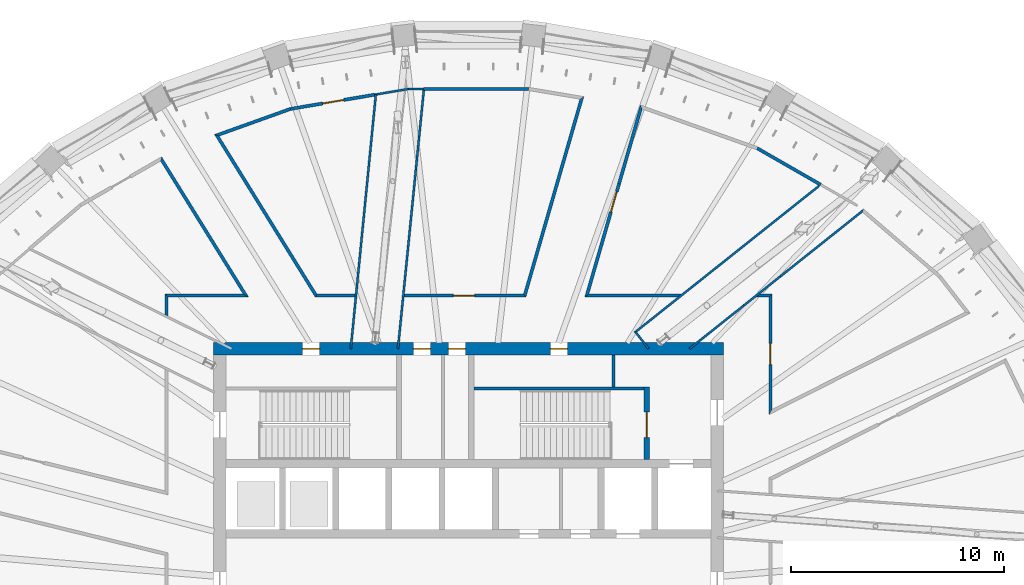
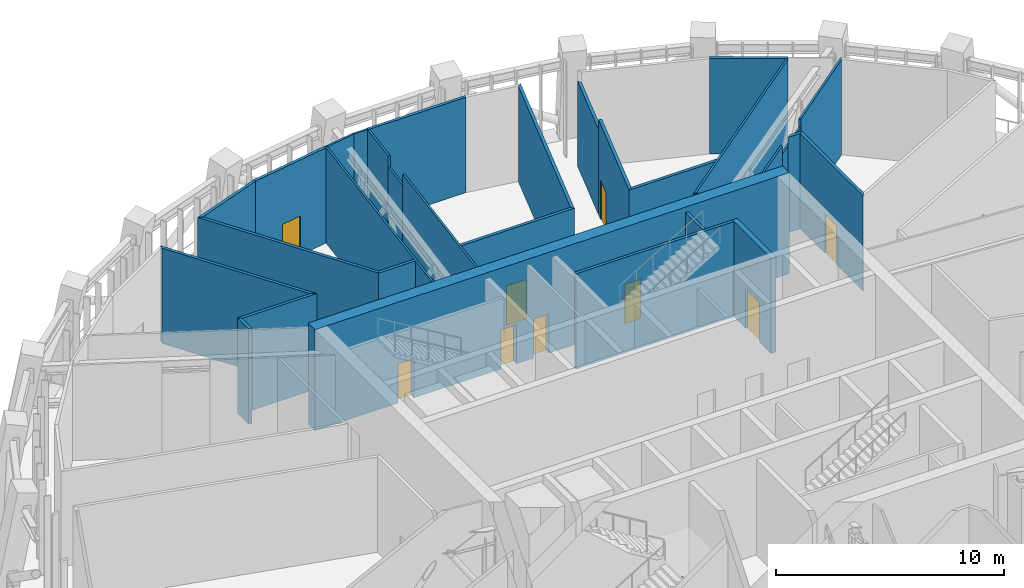
# One storey, part 10 of 20: 31 walls, 9 doors, 9 openings.
"""IFC4 building model written with IfcOpenShell, lengths in metres."""

import ifcopenshell
import ifcopenshell.guid

model = None  # the IFC model being written
_history = None  # IfcOwnerHistory: only IFC2X3 demands one
_inside = {}  # id of a spatial element -> (the spatial element, [elements in it])
_under = {}  # id of a project, library or spatial element -> (it, [spatial elements below it])
_declared = {}  # id of a project -> (the project, [libraries it declares])
_typed = {}  # id of a type object -> (the type object, [elements of that type])
_made_of = {}  # id of a material, layer set ... -> (it, [elements and type objects made of it])


def new_model(schema):
    """Start an empty IFC model of exactly this schema.

    Asked for "IFC4X3", IfcOpenShell would pick the latest addendum, in which some entities
    have other attributes; the version numbers below select the first issue.
    IFC2X3 requires an IfcOwnerHistory on every rooted entity: one is made here for all.
    """
    global model, _history
    if schema == "IFC4X3":
        model = ifcopenshell.file(schema_version=(4, 3, 0, 0))
    else:
        model = ifcopenshell.file(schema=schema)
    _inside.clear()
    _under.clear()
    _declared.clear()
    _typed.clear()
    _made_of.clear()
    _history = None
    if model.schema == "IFC2X3":
        org = make("IfcOrganization", Name="unknown")
        user = make(
            "IfcPersonAndOrganization",
            ThePerson=make("IfcPerson", FamilyName="unknown"),
            TheOrganization=org,
        )
        app = make(
            "IfcApplication",
            ApplicationDeveloper=org,
            Version="unknown",
            ApplicationFullName="unknown",
            ApplicationIdentifier="unknown",
        )
        _history = make(
            "IfcOwnerHistory",
            OwningUser=user,
            OwningApplication=app,
            ChangeAction="ADDED",
            CreationDate=0,
        )
    return model


def make(cls, **values):
    """One entity of the class cls with the attributes given. An attribute that is None is left unset."""
    return model.create_entity(
        cls, **{name: value for name, value in values.items() if value is not None}
    )


def rooted(cls, **values):
    """An entity with a GlobalId (a new one), such as an element, a storey or a relation."""
    return make(cls, GlobalId=ifcopenshell.guid.new(), OwnerHistory=_history, **values)


def si_unit(unit_type, name, prefix=None):
    """IfcSIUnit, for example si_unit("LENGTHUNIT", "METRE", prefix="MILLI")."""
    return make("IfcSIUnit", UnitType=unit_type, Prefix=prefix, Name=name)


def assignment(units):
    """IfcUnitAssignment: the units of a project."""
    return None if units is None else make("IfcUnitAssignment", Units=units)


def point(xyz):
    """IfcCartesianPoint."""
    return None if xyz is None else make("IfcCartesianPoint", Coordinates=xyz)


def direction(xyz):
    """IfcDirection."""
    return None if xyz is None else make("IfcDirection", DirectionRatios=xyz)


def frame(location, z_axis=None, x_axis=None):
    """IfcAxis2Placement3D, a coordinate frame: its origin and axes. An axis left out is left unset."""
    return make(
        "IfcAxis2Placement3D",
        Location=point(location),
        Axis=direction(z_axis),
        RefDirection=direction(x_axis),
    )


def frame_2d(location, x_axis=None):
    """IfcAxis2Placement2D, a coordinate frame in the plane: its origin and x axis."""
    return make(
        "IfcAxis2Placement2D", Location=point(location), RefDirection=direction(x_axis)
    )


def origin():
    """The frame at (0, 0, 0) with its axes left unset."""
    return frame((0.0, 0.0, 0.0))


def place(relative_to, where):
    """IfcLocalPlacement: puts the frame where relative to a parent placement (None: the world)."""
    return make(
        "IfcLocalPlacement", PlacementRelTo=relative_to, RelativePlacement=where
    )


def context(
    kind, dimensions, precision=None, world=None, true_north=None, identifier=None
):
    """IfcGeometricRepresentationContext, for example the 3D "Model" context."""
    return make(
        "IfcGeometricRepresentationContext",
        ContextIdentifier=identifier,
        ContextType=kind,
        CoordinateSpaceDimension=dimensions,
        Precision=precision,
        WorldCoordinateSystem=world,
        TrueNorth=true_north,
    )


def subcontext(parent, identifier, kind, view, scale=None):
    """IfcGeometricRepresentationSubContext, for example "Body" below "Model"."""
    return make(
        "IfcGeometricRepresentationSubContext",
        ContextIdentifier=identifier,
        ContextType=kind,
        ParentContext=parent,
        TargetScale=scale,
        TargetView=view,
    )


def project(units=None, contexts=None):
    """IfcProject with its units and contexts."""
    return rooted(
        "IfcProject",
        Name="project",
        RepresentationContexts=contexts,
        UnitsInContext=assignment(units),
    )


def spatial(cls, under=None, at=None, **own):
    """A site, building, storey or space (cls), placed at a placement, below another one or the project."""
    s = rooted(cls, ObjectPlacement=at, **own)
    if under is not None:
        _under.setdefault(under.id(), (under, []))[1].append(s)
    return s


def polyline(points):
    """IfcPolyline through the points."""
    return make("IfcPolyline", Points=[point(p) for p in points])


def profile(cls, at=None, kind="AREA", **sizes):
    """A parametric profile (cls). Its sizes go by their IFC names, for example OverallWidth=200.0."""
    return make(cls, ProfileType=kind, Position=at, **sizes)


def rectangle(**sizes):
    """IfcRectangleProfileDef."""
    return profile("IfcRectangleProfileDef", **sizes)


def outline(outer, holes=None, kind="AREA"):
    """IfcArbitraryClosedProfileDef: a profile drawn as a closed curve; with holes, ...WithVoids."""
    if holes is None:
        return make("IfcArbitraryClosedProfileDef", ProfileType=kind, OuterCurve=outer)
    return make(
        "IfcArbitraryProfileDefWithVoids",
        ProfileType=kind,
        OuterCurve=outer,
        InnerCurves=holes,
    )


def extrude(swept, where, along, depth):
    """IfcExtrudedAreaSolid: the profile swept, set in the frame where, extruded along a direction by depth."""
    return make(
        "IfcExtrudedAreaSolid",
        SweptArea=swept,
        Position=where,
        ExtrudedDirection=direction(along),
        Depth=depth,
    )


def shape(context_of_items, identifier, shape_type, items):
    """IfcShapeRepresentation: the items that make up one representation, for example the "Body"."""
    return make(
        "IfcShapeRepresentation",
        ContextOfItems=context_of_items,
        RepresentationIdentifier=identifier,
        RepresentationType=shape_type,
        Items=items,
    )


def material(Name=None, Category=None):
    """IfcMaterial."""
    return make("IfcMaterial", Name=Name, Category=Category)


def layer(
    of_material, thickness, ventilated=None, Name=None, Category=None, Priority=None
):
    """IfcMaterialLayer: one layer of a wall or slab, of a material (None: an air gap)."""
    return make(
        "IfcMaterialLayer",
        Material=of_material,
        LayerThickness=thickness,
        IsVentilated=ventilated,
        Name=Name,
        Category=Category,
        Priority=Priority,
    )


def layer_set(layers, Name=None):
    """IfcMaterialLayerSet."""
    return make("IfcMaterialLayerSet", MaterialLayers=layers, LayerSetName=Name)


def made_of(thing, what):
    """Note that an element or type object is made of a material, layer set ...; save() writes the relation."""
    if what is not None:
        _made_of.setdefault(what.id(), (what, []))[1].append(thing)
    return thing


def type_object(cls, material=None, **own):
    """A type object (cls), such as IfcWallType, which elements share."""
    return made_of(rooted(cls, **own), material)


def element(
    cls,
    number,
    at=None,
    inside=None,
    cuts=None,
    type_object=None,
    material=None,
    context=None,
    identifier="Body",
    shape_type=None,
    held_by="IfcProductDefinitionShape",
    body=None,
    shapes=None,
    **own,
):
    """One element of the class cls, such as IfcWall. Its Tag is "e" and its number.

    at: its placement. inside: the storey or other place that contains it. cuts: it is an
    opening in that element (IfcRelVoidsElement). A single representation is given by context,
    identifier, shape_type and body (its items); several are given by shapes. held_by: the class
    of the entity that holds the representations. save() writes the other relations.
    """
    e = rooted(cls, Tag="e%d" % number, ObjectPlacement=at, **own)
    if body is not None:
        shapes = [shape(context, identifier, shape_type, body)]
    if shapes is not None:
        e.Representation = make(held_by, Representations=shapes)
    if inside is not None:
        _inside.setdefault(inside.id(), (inside, []))[1].append(e)
    if cuts is not None:
        rooted(
            "IfcRelVoidsElement", RelatingBuildingElement=cuts, RelatedOpeningElement=e
        )
    if type_object is not None:
        _typed.setdefault(type_object.id(), (type_object, []))[1].append(e)
    return made_of(e, material)


def fill(opening, filler):
    """IfcRelFillsElement: the door or window that sits in an opening."""
    return rooted(
        "IfcRelFillsElement",
        RelatingOpeningElement=opening,
        RelatedBuildingElement=filler,
    )


def aggregate(whole, parts):
    """IfcRelAggregates: a whole, such as a stair, and the parts it consists of."""
    return rooted("IfcRelAggregates", RelatingObject=whole, RelatedObjects=parts)


def save(model, path):
    """Write the relations noted so far, then the file.

    IfcRelAggregates (storeys below a building ...), IfcRelContainedInSpatialStructure (elements
    in a storey), IfcRelDefinesByType, IfcRelAssociatesMaterial and IfcRelDeclares: one each for
    every whole, place, type object, material and project.
    """
    for whole, parts in _under.values():
        aggregate(whole, parts)
    for where, things in _inside.values():
        rooted(
            "IfcRelContainedInSpatialStructure",
            RelatedElements=things,
            RelatingStructure=where,
        )
    for kind, things in _typed.values():
        rooted("IfcRelDefinesByType", RelatedObjects=things, RelatingType=kind)
    for what, things in _made_of.values():
        rooted("IfcRelAssociatesMaterial", RelatedObjects=things, RelatingMaterial=what)
    for by, libraries in _declared.values():
        rooted("IfcRelDeclares", RelatingContext=by, RelatedDefinitions=libraries)
    model.write(path)


model = new_model("IFC4")

# Units and contexts
model_context = context("Model", 3, precision=1e-05, world=origin(), true_north=direction((0.0, 1.0)))
body_context = subcontext(model_context, "Body", "Model", "MODEL_VIEW")
ifc_project = project(units=[si_unit("LENGTHUNIT", "METRE"), si_unit("AREAUNIT", "SQUARE_METRE"), si_unit("VOLUMEUNIT", "CUBIC_METRE"), si_unit("PLANEANGLEUNIT", "RADIAN"), si_unit("MASSUNIT", "GRAM", prefix="KILO")], contexts=[model_context])

# Site, building, storey
site_placement = place(None, origin())
site = spatial("IfcSite", under=ifc_project, at=site_placement, CompositionType="ELEMENT")
building_placement = place(site_placement, origin())
building = spatial("IfcBuilding", under=site, at=building_placement, Name="Halqa Exchange Tower", CompositionType="ELEMENT")
storey_placement = place(building_placement, frame((0.0, 0.0, 250.89990234375)))
storey = spatial("IfcBuildingStorey", under=building, at=storey_placement, Name="L58", CompositionType="ELEMENT", Elevation=250.89990234375)

# Walls
ifc_material_1 = material(Name="Fire-rated gypsum board")
ifc_layer_1 = layer(ifc_material_1, 0.14990234375)
ifc_layer_set_1 = layer_set([ifc_layer_1], Name="Fire-rated gypsum board")
wall_type_1 = type_object("IfcWallType", Name="Fire partition EI 60 150", PredefinedType="PARTITIONING", material=ifc_layer_set_1)
wall_1_placement = place(storey_placement, frame((-14.498291015625, 20.691650390625, 0.0), z_axis=(0.0, 0.0, 1.0), x_axis=(0.527266712456, -0.849699837552, 0.0)))
element("IfcWall", 1, at=wall_1_placement, inside=storey, type_object=wall_type_1, Name="L58-PWL-027", PredefinedType="PARTITIONING", context=body_context, shape_type="SweptSolid", body=[
    extrude(outline(polyline([(0.14501953125, -0.074951171875), (1.985107421875, -0.074951171875), (3.8251953125, -0.074951171875), (5.665283203125, -0.074951171875), (7.505126953125, -0.074951171875), (7.774658203125, 0.074951171875), (5.8310546875, 0.074951171875), (3.887451171875, 0.074951171875), (1.94384765625, 0.074951171875), (0.000244140625, 0.074951171875), (0.14501953125, -0.074951171875)])), origin(), (0.0, 0.0, 1.0), 5.10009765625),
])
wall_2_placement = place(storey_placement, frame((-14.199951171875, 13.2314453125, 0.0), z_axis=(0.0, 0.0, 1.0), x_axis=(0.0, 1.0, 0.0)))
element("IfcWall", 2, at=wall_2_placement, inside=storey, type_object=wall_type_1, Name="L58-PWL-032", PredefinedType="PARTITIONING", context=body_context, shape_type="SweptSolid", body=[
    extrude(outline(polyline([(0.0, -0.074951171875), (0.8935546875, -0.074951171875), (1.04345703125, 0.074951171875), (0.07373046875, 0.074951171875), (0.0, -0.07421875), (0.0, -0.074951171875)])), origin(), (0.0, 0.0, 1.0), 5.10009765625),
])
wall_3_placement = place(storey_placement, frame((-14.27490234375, 14.199951171875, 0.0), z_axis=(0.0, 0.0, 1.0), x_axis=(1.0, 0.0, 0.0)))
element("IfcWall", 3, at=wall_3_placement, inside=storey, type_object=wall_type_1, Name="L58-PWL-033", PredefinedType="PARTITIONING", context=body_context, shape_type="SweptSolid", body=[
    extrude(outline(polyline([(3.939697265625, -0.074951171875), (3.939697265625, -0.074951171875), (3.670166015625, 0.074951171875), (1.835205078125, 0.074951171875), (0.0, 0.074951171875), (0.14990234375, -0.074951171875), (2.044921875, -0.074951171875), (3.939697265625, -0.074951171875)])), origin(), (0.0, 0.0, 1.0), 5.10009765625),
])
wall_4_placement = place(storey_placement, frame((-11.92724609375, 21.708740234375, 0.0), z_axis=(0.0, 0.0, 1.0), x_axis=(0.941377000875, 0.337356402375, 0.0)))
element("IfcWall", 4, at=wall_4_placement, inside=storey, type_object=wall_type_1, Name="L58-PWL-035", PredefinedType="PARTITIONING", context=body_context, shape_type="SweptSolid", body=[
    extrude(outline(polyline([(0.185302734375, -0.074951171875), (1.973388671875, -0.074951171875), (3.761474609375, -0.074951171875), (3.774658203125, 0.073486328125), (3.774658203125, 0.074951171875), (1.887451171875, 0.074951171875), (0.0, 0.074951171875), (0.185302734375, -0.074951171875)])), origin(), (0.0, 0.0, 1.0), 5.10009765625),
])
wall_5_placement = place(storey_placement, frame((-11.888916015625, 21.81884765625, 0.0), z_axis=(0.0, 0.0, 1.0), x_axis=(0.526562768586, -0.85013625422, 0.0)))
element("IfcWall", 5, at=wall_5_placement, inside=storey, type_object=wall_type_1, Name="L58-PWL-036", PredefinedType="PARTITIONING", context=body_context, shape_type="SweptSolid", body=[
    extrude(outline(polyline([(0.0, -0.074951171875), (1.80078125, -0.074951171875), (3.6015625, -0.074951171875), (5.402099609375, -0.074951171875), (7.202880859375, -0.074951171875), (9.003662109375, -0.074951171875), (8.920166015625, 0.074951171875), (7.173095703125, 0.074951171875), (5.42626953125, 0.074951171875), (3.67919921875, 0.074951171875), (1.932373046875, 0.074951171875), (0.185302734375, 0.074951171875), (0.0, -0.074951171875)])), origin(), (0.0, 0.0, 1.0), 5.10009765625),
])

# Wall, opening, door
wall_6_placement = place(storey_placement, frame((-8.386474609375, 22.97900390625, 0.0), z_axis=(0.0, 0.0, 1.0), x_axis=(0.986003200339, 0.166726389397, 0.0)))
wall_6 = element("IfcWall", 6, at=wall_6_placement, inside=storey, type_object=wall_type_1, Name="L58-PWL-038", PredefinedType="PARTITIONING", context=body_context, shape_type="SweptSolid", body=[
    extrude(outline(polyline([(0.0, 0.074951171875), (0.0, 0.073974609375), (0.01318359375, -0.074951171875), (1.3466796875, -0.074951171875), (2.68017578125, -0.074951171875), (4.013671875, -0.074951171875), (4.013671875, 0.074951171875), (2.67578125, 0.074951171875), (1.337890625, 0.074951171875), (0.0, 0.074951171875)])), origin(), (0.0, 0.0, 1.0), 5.10009765625),
])
opening_1_placement = place(wall_6_placement, frame((1.545166015625, 0.0, 0.0)))
opening_1 = element("IfcOpeningElement", 7, at=opening_1_placement, cuts=wall_6, Name="Opening L58-13", PredefinedType="OPENING", context=body_context, shape_type="SweptSolid", body=[
    extrude(rectangle(XDim=1.0, YDim=2.10009765625, at=frame_2d((0.5, 1.050048828125))), frame((0.0, 0.0869140625, 0.0), z_axis=(0.0, -1.0, 0.0), x_axis=(1.0, 0.0, 0.0)), (0.0, 0.0, 1.0), 0.173828125),
])
ifc_material_2 = material(Name="Steel fire door leaf", Category="steel")
door_type_1 = type_object("IfcDoorType", Name="Fire door FD30S 1000 x 2100", OperationType="SINGLE_SWING_LEFT", PredefinedType="DOOR", material=ifc_material_2)
door_1_placement = place(opening_1_placement, frame((1.0, 0.0, 0.0), z_axis=(0.0, 0.0, 1.0), x_axis=(-1.0, 0.0, 0.0)))
door_1 = element("IfcDoor", 8, at=door_1_placement, inside=storey, type_object=door_type_1, Name="L58-IDR-013", OperationType="SINGLE_SWING_RIGHT", OverallHeight=2.10009765625, OverallWidth=1.0, PredefinedType="DOOR", context=body_context, shape_type="SweptSolid", body=[
    extrude(rectangle(XDim=1.0, YDim=2.10009765625, at=frame_2d((0.5, 1.050048828125))), frame((0.0, 0.02490234375, 0.0), z_axis=(0.0, -1.0, 0.0), x_axis=(1.0, 0.0, 0.0)), (0.0, 0.0, 1.0), 0.050048828125),
])
fill(opening_1, door_1)

# Wall
wall_7_placement = place(storey_placement, frame((-7.2119140625, 14.199951171875, 0.0), z_axis=(0.0, 0.0, 1.0), x_axis=(1.0, 0.0, 0.0)))
element("IfcWall", 9, at=wall_7_placement, inside=storey, type_object=wall_type_1, Name="L58-PWL-039", PredefinedType="PARTITIONING", context=body_context, shape_type="SweptSolid", body=[
    extrude(outline(polyline([(0.000244140625, -0.074951171875), (1.86083984375, -0.074951171875), (1.87548828125, 0.07275390625), (1.87548828125, 0.074951171875), (0.083740234375, 0.074951171875), (0.0419921875, 0.0), (0.000244140625, -0.074951171875)])), origin(), (0.0, 0.0, 1.0), 5.10009765625),
])

# Wall, opening, door
wall_8_placement = place(storey_placement, frame((-3.027099609375, 14.199951171875, 0.0), z_axis=(0.0, 0.0, 1.0), x_axis=(1.0, 0.0, 0.0)))
wall_8 = element("IfcWall", 10, at=wall_8_placement, inside=storey, type_object=wall_type_1, Name="L58-PWL-045", PredefinedType="PARTITIONING", context=body_context, shape_type="SweptSolid", body=[
    extrude(outline(polyline([(5.723388671875, -0.074951171875), (5.723388671875, -0.07470703125), (5.6669921875, 0.0), (5.61083984375, 0.074951171875), (3.745361328125, 0.074951171875), (1.880126953125, 0.074951171875), (0.014892578125, 0.074951171875), (0.0, -0.073486328125), (0.0, -0.074951171875), (1.90771484375, -0.074951171875), (3.815673828125, -0.074951171875), (5.723388671875, -0.074951171875)])), origin(), (0.0, 0.0, 1.0), 5.10009765625),
])
opening_2_placement = place(wall_8_placement, frame((2.31689453125, 0.0, 0.0)))
opening_2 = element("IfcOpeningElement", 11, at=opening_2_placement, cuts=wall_8, Name="Opening L58-12", PredefinedType="OPENING", context=body_context, shape_type="SweptSolid", body=[
    extrude(rectangle(XDim=1.0, YDim=2.10009765625, at=frame_2d((0.5, 1.050048828125))), frame((0.0, 0.0869140625, 0.0), z_axis=(0.0, -1.0, 0.0), x_axis=(1.0, 0.0, 0.0)), (0.0, 0.0, 1.0), 0.173828125),
])
door_2_placement = place(opening_2_placement, origin())
door_2 = element("IfcDoor", 12, at=door_2_placement, inside=storey, type_object=door_type_1, Name="L58-IDR-012", OperationType="SINGLE_SWING_LEFT", OverallHeight=2.10009765625, OverallWidth=1.0, PredefinedType="DOOR", context=body_context, shape_type="SweptSolid", body=[
    extrude(rectangle(XDim=1.0, YDim=2.10009765625, at=frame_2d((0.5, 1.050048828125))), frame((0.0, 0.02490234375, 0.0), z_axis=(0.0, -1.0, 0.0), x_axis=(1.0, 0.0, 0.0)), (0.0, 0.0, 1.0), 0.050048828125),
])
fill(opening_2, door_2)

# Walls
wall_9_placement = place(storey_placement, frame((2.624267578125, 14.145751953125, 0.0), z_axis=(0.0, 0.0, 1.0), x_axis=(0.277874591474, 0.960617359521, 0.0)))
element("IfcWall", 13, at=wall_9_placement, inside=storey, type_object=wall_type_1, Name="L58-PWL-052", PredefinedType="PARTITIONING", context=body_context, shape_type="SweptSolid", body=[
    extrude(outline(polyline([(9.82177734375, -0.074951171875), (9.82177734375, -0.07470703125), (9.65380859375, 0.074951171875), (7.74560546875, 0.074951171875), (5.83740234375, 0.074951171875), (3.92919921875, 0.074951171875), (2.02099609375, 0.074951171875), (0.11279296875, 0.074951171875), (0.000244140625, -0.074951171875), (1.964599609375, -0.074951171875), (3.9287109375, -0.074951171875), (5.89306640625, -0.074951171875), (7.857421875, -0.074951171875), (9.82177734375, -0.074951171875)])), origin(), (0.0, 0.0, 1.0), 5.10009765625),
])
wall_10_placement = place(storey_placement, frame((2.836181640625, 23.919921875, 0.0), z_axis=(0.0, 0.0, 1.0), x_axis=(-1.0, 0.0, 0.0)))
element("IfcWall", 14, at=wall_10_placement, inside=storey, type_object=wall_type_1, Name="L58-PWL-055", PredefinedType="PARTITIONING", context=body_context, shape_type="SweptSolid", body=[
    extrude(outline(polyline([(4.956298828125, 0.074951171875), (3.308349609375, 0.074951171875), (1.660400390625, 0.074951171875), (0.012451171875, 0.074951171875), (0.0, -0.07421875), (0.0, -0.074951171875), (1.652099609375, -0.074951171875), (3.30419921875, -0.074951171875), (4.956298828125, -0.074951171875), (4.956298828125, 0.074951171875)])), origin(), (0.0, 0.0, 1.0), 5.10009765625),
])
wall_11_placement = place(storey_placement, frame((5.460205078125, 14.199951171875, 0.0), z_axis=(0.0, 0.0, 1.0), x_axis=(1.0, 0.0, 0.0)))
element("IfcWall", 15, at=wall_11_placement, inside=storey, type_object=wall_type_1, Name="L58-PWL-058", PredefinedType="PARTITIONING", context=body_context, shape_type="SweptSolid", body=[
    extrude(outline(polyline([(0.0, -0.074951171875), (1.454833984375, -0.074951171875), (2.90966796875, -0.074951171875), (4.364501953125, -0.074951171875), (4.552734375, 0.074951171875), (3.101806640625, 0.074951171875), (1.650634765625, 0.074951171875), (0.199462890625, 0.074951171875), (0.099853515625, 0.0), (0.0, -0.074951171875)])), origin(), (0.0, 0.0, 1.0), 5.10009765625),
])
wall_12_placement = place(storey_placement, frame((8.144287109375, 23.148193359375, 0.0), z_axis=(0.0, 0.0, 1.0), x_axis=(-0.277458764532, -0.96073754688, 0.0)))
element("IfcWall", 16, at=wall_12_placement, inside=storey, type_object=wall_type_1, Name="L58-PWL-063", PredefinedType="PARTITIONING", context=body_context, shape_type="SweptSolid", body=[
    extrude(outline(polyline([(3.838134765625, 0.074951171875), (1.998779296875, 0.074951171875), (0.159423828125, 0.074951171875), (0.0, -0.074951171875), (1.919189453125, -0.074951171875), (3.838134765625, -0.074951171875), (3.838134765625, 0.074951171875)])), origin(), (0.0, 0.0, 1.0), 4.550048828125),
])
wall_13_placement = place(storey_placement, frame((13.51611328125, 14.199951171875, 0.0), z_axis=(0.0, 0.0, 1.0), x_axis=(1.0, 0.0, 0.0)))
element("IfcWall", 17, at=wall_13_placement, inside=storey, type_object=wall_type_1, Name="L58-PWL-076", PredefinedType="PARTITIONING", context=body_context, shape_type="SweptSolid", body=[
    extrude(outline(polyline([(0.0, -0.074951171875), (0.60888671875, -0.074951171875), (0.7587890625, 0.074951171875), (0.188232421875, 0.074951171875), (0.0, -0.074951171875), (0.0, -0.074951171875)])), origin(), (0.0, 0.0, 1.0), 5.10009765625),
])

# Wall, opening, door
wall_14_placement = place(storey_placement, frame((14.199951171875, 14.27490234375, 0.0), z_axis=(0.0, 0.0, 1.0), x_axis=(0.0, -1.0, 0.0)))
wall_14 = element("IfcWall", 18, at=wall_14_placement, inside=storey, type_object=wall_type_1, Name="L58-PWL-085", PredefinedType="PARTITIONING", context=body_context, shape_type="SweptSolid", body=[
    extrude(outline(polyline([(0.14990234375, -0.074951171875), (1.9921875, -0.074951171875), (3.83447265625, -0.074951171875), (5.6767578125, -0.074951171875), (5.433349609375, 0.074951171875), (3.6220703125, 0.074951171875), (1.81103515625, 0.074951171875), (0.0, 0.074951171875), (0.14990234375, -0.074951171875)])), origin(), (0.0, 0.0, 1.0), 5.10009765625),
])
opening_3_placement = place(wall_14_placement, frame((2.31494140625, 0.0, 0.0)))
opening_3 = element("IfcOpeningElement", 19, at=opening_3_placement, cuts=wall_14, Name="Opening L58-10", PredefinedType="OPENING", context=body_context, shape_type="SweptSolid", body=[
    extrude(rectangle(XDim=1.0, YDim=2.10009765625, at=frame_2d((0.5, 1.050048828125))), frame((0.0, 0.0869140625, 0.0), z_axis=(0.0, -1.0, 0.0), x_axis=(1.0, 0.0, 0.0)), (0.0, 0.0, 1.0), 0.173828125),
])
door_3_placement = place(opening_3_placement, origin())
door_3 = element("IfcDoor", 20, at=door_3_placement, inside=storey, type_object=door_type_1, Name="L58-IDR-010", OperationType="SINGLE_SWING_LEFT", OverallHeight=2.10009765625, OverallWidth=1.0, PredefinedType="DOOR", context=body_context, shape_type="SweptSolid", body=[
    extrude(rectangle(XDim=1.0, YDim=2.10009765625, at=frame_2d((0.5, 1.050048828125))), frame((0.0, 0.02490234375, 0.0), z_axis=(0.0, -1.0, 0.0), x_axis=(1.0, 0.0, 0.0)), (0.0, 0.0, 1.0), 0.050048828125),
])
fill(opening_3, door_3)

# Wall
wall_15_placement = place(storey_placement, frame((16.56005859375, 19.419921875, 0.0), z_axis=(0.0, 0.0, 1.0), x_axis=(-0.867342678507, 0.497711440536, 0.0)))
element("IfcWall", 21, at=wall_15_placement, inside=storey, type_object=wall_type_1, Name="L58-PWL-086", PredefinedType="PARTITIONING", context=body_context, shape_type="SweptSolid", body=[
    extrude(outline(polyline([(0.0, -0.074951171875), (1.72119140625, -0.074951171875), (3.442626953125, -0.074951171875), (3.42919921875, 0.074951171875), (1.714599609375, 0.074951171875), (0.0, 0.074951171875), (0.0, -0.074951171875)])), origin(), (0.0, 0.0, 1.0), 5.10009765625),
])

# Wall, opening, door
wall_16_placement = place(storey_placement, frame((7.079345703125, 19.460693359375, 0.0), z_axis=(0.0, 0.0, 1.0), x_axis=(-0.277490255222, -0.960728451883, 0.0)))
wall_16 = element("IfcWall", 22, at=wall_16_placement, inside=storey, type_object=wall_type_1, Name="L58-PWL-107", PredefinedType="PARTITIONING", context=body_context, shape_type="SweptSolid", body=[
    extrude(outline(polyline([(5.575439453125, -0.074951171875), (5.575439453125, -0.074951171875), (5.376220703125, 0.074951171875), (3.584228515625, 0.074951171875), (1.7919921875, 0.074951171875), (0.0, 0.074951171875), (0.0, -0.074951171875), (1.8583984375, -0.074951171875), (3.717041015625, -0.074951171875), (5.575439453125, -0.074951171875)])), origin(), (0.0, 0.0, 1.0), 5.10009765625),
])
opening_4_placement = place(wall_16_placement, frame((0.38037109375, 0.0, 0.0)))
opening_4 = element("IfcOpeningElement", 23, at=opening_4_placement, cuts=wall_16, Name="Opening L58-11", PredefinedType="OPENING", context=body_context, shape_type="SweptSolid", body=[
    extrude(rectangle(XDim=1.0, YDim=2.10009765625, at=frame_2d((0.5, 1.050048828125))), frame((0.0, 0.0869140625, 0.0), z_axis=(0.0, -1.0, 0.0), x_axis=(1.0, 0.0, 0.0)), (0.0, 0.0, 1.0), 0.173828125),
])
door_4_placement = place(opening_4_placement, origin())
door_4 = element("IfcDoor", 24, at=door_4_placement, inside=storey, type_object=door_type_1, Name="L58-IDR-011", OperationType="SINGLE_SWING_LEFT", OverallHeight=2.10009765625, OverallWidth=1.0, PredefinedType="DOOR", context=body_context, shape_type="SweptSolid", body=[
    extrude(rectangle(XDim=1.0, YDim=2.10009765625, at=frame_2d((0.5, 1.050048828125))), frame((0.0, 0.02490234375, 0.0), z_axis=(0.0, -1.0, 0.0), x_axis=(1.0, 0.0, 0.0)), (0.0, 0.0, 1.0), 0.050048828125),
])
fill(opening_4, door_4)

# Walls
ifc_material_3 = material(Name="Gypsum board")
ifc_layer_2 = layer(ifc_material_3, 0.10009765625)
ifc_layer_set_2 = layer_set([ifc_layer_2], Name="Gypsum board")
wall_type_2 = type_object("IfcWallType", Name="Partition 100 gypsum", PredefinedType="PARTITIONING", material=ifc_layer_set_2)
wall_17_placement = place(storey_placement, frame((-5.5400390625, 11.699951171875, 0.0), z_axis=(0.0, 0.0, 1.0), x_axis=(0.098192347243, 0.995167454725, 0.0)))
element("IfcWall", 25, at=wall_17_placement, inside=storey, type_object=wall_type_2, Name="L58-PWL-042", PredefinedType="PARTITIONING", context=body_context, shape_type="SweptSolid", body=[
    extrude(rectangle(XDim=12.01904296875, YDim=0.10009765625, at=frame_2d((6.009521484375, 0.0))), origin(), (0.0, 0.0, 1.0), 5.10009765625),
])
wall_18_placement = place(storey_placement, frame((-3.320068359375, 11.699951171875, 0.0), z_axis=(0.0, 0.0, 1.0), x_axis=(0.0995179867, 0.995035763339, 0.0)))
element("IfcWall", 26, at=wall_18_placement, inside=storey, type_object=wall_type_2, Name="L58-PWL-043", PredefinedType="PARTITIONING", context=body_context, shape_type="SweptSolid", body=[
    extrude(outline(polyline([(0.0, -0.050048828125), (1.295166015625, -0.050048828125), (2.590087890625, -0.050048828125), (2.5927734375, -0.0498046875), (2.593017578125, -0.050048828125), (4.55224609375, -0.050048828125), (6.51171875, -0.050048828125), (8.470947265625, -0.050048828125), (8.470947265625, 0.050048828125), (6.77685546875, 0.050048828125), (5.08251953125, 0.050048828125), (3.388427734375, 0.050048828125), (1.694091796875, 0.050048828125), (0.0, 0.050048828125), (0.0, -0.050048828125)])), origin(), (0.0, 0.0, 1.0), 5.10009765625),
])
wall_19_placement = place(storey_placement, frame((-2.82568359375, 23.920654296875, 0.0), z_axis=(0.0, 0.0, 1.0), x_axis=(-0.985865518692, -0.167538589746, 0.0)))
element("IfcWall", 27, at=wall_19_placement, inside=storey, type_object=wall_type_2, Name="L58-PWL-047", PredefinedType="PARTITIONING", context=body_context, shape_type="SweptSolid", body=[
    extrude(outline(polyline([(1.626220703125, 0.050048828125), (1.621826171875, 0.050048828125), (1.604248046875, -0.01416015625), (1.5078125, 0.01220703125), (1.51806640625, 0.050048828125), (0.008544921875, 0.050048828125), (0.008544921875, 0.0498046875), (0.008544921875, 0.0498046875), (0.00439453125, 0.0), (0.000244140625, -0.050048828125), (1.626220703125, -0.050048828125), (1.626220703125, 0.050048828125)])), origin(), (0.0, 0.0, 1.0), 5.10009765625),
])
wall_20_placement = place(storey_placement, frame((-2.1201171875, 23.919921875, 0.0), z_axis=(0.0, 0.0, 1.0), x_axis=(-1.0, 0.0, 0.0)))
element("IfcWall", 28, at=wall_20_placement, inside=storey, type_object=wall_type_2, Name="L58-PWL-048", PredefinedType="PARTITIONING", context=body_context, shape_type="SweptSolid", body=[
    extrude(outline(polyline([(0.0, -0.050048828125), (0.714111328125, -0.050048828125), (0.70556640625, 0.050048828125), (0.0, 0.050048828125), (0.0, -0.050048828125)])), origin(), (0.0, 0.0, 1.0), 5.10009765625),
])
wall_21_placement = place(storey_placement, frame((7.8193359375, 12.529052734375, 0.0), z_axis=(0.0, 0.0, 1.0), x_axis=(0.617350830979, -0.786687963229, 0.0)))
element("IfcWall", 29, at=wall_21_placement, inside=storey, type_object=wall_type_2, Name="L58-PWL-061", PredefinedType="PARTITIONING", context=body_context, shape_type="SweptSolid", body=[
    extrude(outline(polyline([(1.053955078125, 0.050048828125), (0.099365234375, 0.050048828125), (0.0, -0.050048828125), (0.0, -0.050048828125), (1.053955078125, -0.050048828125), (1.053955078125, 0.050048828125)])), origin(), (0.0, 0.0, 1.0), 5.10009765625),
])
wall_22_placement = place(storey_placement, frame((7.81103515625, 12.458984375, 0.0), z_axis=(0.0, 0.0, 1.0), x_axis=(0.782532006264, 0.622610359031, 0.0)))
element("IfcWall", 30, at=wall_22_placement, inside=storey, type_object=wall_type_2, Name="L58-PWL-062", PredefinedType="PARTITIONING", context=body_context, shape_type="SweptSolid", body=[
    extrude(outline(polyline([(11.080322265625, 0.050048828125), (9.233642578125, 0.050048828125), (7.386962890625, 0.050048828125), (5.540283203125, 0.050048828125), (3.693603515625, 0.050048828125), (1.8466796875, 0.050048828125), (0.0, 0.050048828125), (0.099609375, -0.050048828125), (1.9296875, -0.050048828125), (3.759765625, -0.050048828125), (5.58984375, -0.050048828125), (7.420166015625, -0.050048828125), (9.250244140625, -0.050048828125), (11.080322265625, -0.050048828125), (11.080322265625, 0.050048828125)])), origin(), (0.0, 0.0, 1.0), 5.10009765625),
])
wall_23_placement = place(storey_placement, frame((10.389892578125, 11.699951171875, 0.0), z_axis=(0.0, 0.0, 1.0), x_axis=(0.782322562036, 0.622873509574, 0.0)))
element("IfcWall", 31, at=wall_23_placement, inside=storey, type_object=wall_type_2, Name="L58-PWL-071", PredefinedType="PARTITIONING", context=body_context, shape_type="SweptSolid", body=[
    extrude(outline(polyline([(0.0, 0.050048828125), (0.0, -0.050048828125), (1.635986328125, -0.050048828125), (3.27197265625, -0.050048828125), (3.27197265625, 0.050048828125), (1.635986328125, 0.050048828125), (0.0, 0.050048828125)])), origin(), (0.0, 0.0, 1.0), 5.10009765625),
])
wall_24_placement = place(storey_placement, frame((-2.47705078125, 20.12890625, 0.0), z_axis=(0.0, 0.0, 1.0), x_axis=(0.099535204501, 0.995034041159, 0.0)))
element("IfcWall", 32, at=wall_24_placement, inside=storey, type_object=wall_type_2, Name="L58-PWL-105", PredefinedType="PARTITIONING", context=body_context, shape_type="SweptSolid", body=[
    extrude(outline(polyline([(0.0, 0.050048828125), (0.0, -0.050048828125), (1.535400390625, -0.050048828125), (1.535400390625, 0.050048828125), (0.0, 0.050048828125)])), origin(), (0.0, 0.0, 1.0), 4.5),
])
wall_25_placement = place(storey_placement, frame((-2.32421875, 21.65673828125, 0.0), z_axis=(0.0, 0.0, 1.0), x_axis=(0.099471035503, 0.99504045802, 0.0)))
element("IfcWall", 33, at=wall_25_placement, inside=storey, type_object=wall_type_2, Name="L58-PWL-106", PredefinedType="PARTITIONING", context=body_context, shape_type="SweptSolid", body=[
    extrude(outline(polyline([(0.0, -0.050048828125), (2.2041015625, -0.050048828125), (2.19775390625, 0.014404296875), (2.21875, 0.0166015625), (2.21875, 0.050048828125), (0.0, 0.050048828125), (0.0, -0.050048828125)])), origin(), (0.0, 0.0, 1.0), 5.10009765625),
])
wall_26_placement = place(storey_placement, frame((12.94970703125, 13.738037109375, 0.0), z_axis=(0.0, 0.0, 1.0), x_axis=(0.782333404853, 0.622859890867, 0.0)))
element("IfcWall", 34, at=wall_26_placement, inside=storey, type_object=wall_type_2, Name="L58-PWL-108", PredefinedType="PARTITIONING", context=body_context, shape_type="SweptSolid", body=[
    extrude(outline(polyline([(0.0, 0.050048828125), (0.0, -0.050048828125), (2.1923828125, -0.050048828125), (2.1923828125, 0.050048828125), (0.0, 0.050048828125)])), origin(), (0.0, 0.0, 1.0), 4.650146484375),
])
wall_27_placement = place(storey_placement, frame((14.664794921875, 15.103515625, 0.0), z_axis=(0.0, 0.0, 1.0), x_axis=(0.7823282695, 0.622866340993, 0.0)))
element("IfcWall", 35, at=wall_27_placement, inside=storey, type_object=wall_type_2, Name="L58-PWL-109", PredefinedType="PARTITIONING", context=body_context, shape_type="SweptSolid", body=[
    extrude(outline(polyline([(0.0, -0.050048828125), (1.634033203125, -0.050048828125), (3.267822265625, -0.050048828125), (4.90185546875, -0.050048828125), (5.03564453125, 0.050048828125), (3.35693359375, 0.050048828125), (1.678466796875, 0.050048828125), (0.0, 0.050048828125), (0.0, -0.050048828125)])), origin(), (0.0, 0.0, 1.0), 5.10009765625),
])
ifc_layer_3 = layer(ifc_material_3, 0.14990234375)
ifc_layer_set_3 = layer_set([ifc_layer_3], Name="Gypsum board")
wall_type_3 = type_object("IfcWallType", Name="Penthouse riser wall 150 gypsum", PredefinedType="PARTITIONING", material=ifc_layer_set_3)
wall_28_placement = place(storey_placement, frame((6.824951171875, 9.89990234375, 0.0), z_axis=(0.0, 0.0, 1.0), x_axis=(0.0, 1.0, 0.0)))
element("IfcWall", 36, at=wall_28_placement, inside=storey, type_object=wall_type_3, Name="Firefighting lobby west wall N", PredefinedType="PARTITIONING", context=body_context, shape_type="SweptSolid", body=[
    extrude(rectangle(XDim=1.5, YDim=0.14990234375, at=frame_2d((0.75, 0.0))), origin(), (0.0, 0.0, 1.0), 5.10009765625),
])

# Wall, openings, doors
ifc_material_4 = material(Name="Concrete C70/85", Category="concrete")
ifc_layer_4 = layer(ifc_material_4, 0.60009765625)
ifc_layer_set_4 = layer_set([ifc_layer_4], Name="Concrete C70/85")
wall_type_4 = type_object("IfcWallType", Name="RC core wall 600 C70/85", PredefinedType="SHEAR", material=ifc_layer_set_4)
wall_29_placement = place(storey_placement, frame((-12.0, 11.699951171875, 0.0), z_axis=(0.0, 0.0, 1.0), x_axis=(1.0, 0.0, 0.0)))
wall_29 = element("IfcWall", 37, at=wall_29_placement, inside=storey, type_object=wall_type_4, Name="Core wall north", PredefinedType="SHEAR", context=body_context, shape_type="SweptSolid", body=[
    extrude(rectangle(XDim=24.0, YDim=0.60009765625, at=frame_2d((12.0, 0.0))), origin(), (0.0, 0.0, 1.0), 5.400146484375),
])
opening_5_placement = place(wall_29_placement, frame((9.39990234375, 0.0, 0.0)))
opening_5 = element("IfcOpeningElement", 38, at=opening_5_placement, cuts=wall_29, Name="Opening L58-C13", PredefinedType="OPENING", context=body_context, shape_type="SweptSolid", body=[
    extrude(rectangle(XDim=0.800048828125, YDim=2.10009765625, at=frame_2d((0.39990234375, 1.050048828125))), frame((0.0, 0.31201171875, 0.0), z_axis=(0.0, -1.0, 0.0), x_axis=(1.0, 0.0, 0.0)), (0.0, 0.0, 1.0), 0.6240234375),
])
opening_6_placement = place(wall_29_placement, frame((11.050048828125, 0.0, 0.0)))
opening_6 = element("IfcOpeningElement", 39, at=opening_6_placement, cuts=wall_29, Name="Opening L58-C14", PredefinedType="OPENING", context=body_context, shape_type="SweptSolid", body=[
    extrude(rectangle(XDim=0.800048828125, YDim=2.10009765625, at=frame_2d((0.39990234375, 1.050048828125))), frame((0.0, 0.31201171875, 0.0), z_axis=(0.0, -1.0, 0.0), x_axis=(1.0, 0.0, 0.0)), (0.0, 0.0, 1.0), 0.6240234375),
])
opening_7_placement = place(wall_29_placement, frame((4.199951171875, 0.0, 0.0)))
opening_7 = element("IfcOpeningElement", 40, at=opening_7_placement, cuts=wall_29, Name="Opening L58-C15", PredefinedType="OPENING", context=body_context, shape_type="SweptSolid", body=[
    extrude(rectangle(XDim=0.800048828125, YDim=2.10009765625, at=frame_2d((0.39990234375, 1.050048828125))), frame((0.0, 0.31201171875, 0.0), z_axis=(0.0, -1.0, 0.0), x_axis=(1.0, 0.0, 0.0)), (0.0, 0.0, 1.0), 0.6240234375),
])
opening_8_placement = place(wall_29_placement, frame((15.85009765625, 0.0, 0.0)))
opening_8 = element("IfcOpeningElement", 41, at=opening_8_placement, cuts=wall_29, Name="Opening L58-C16", PredefinedType="OPENING", context=body_context, shape_type="SweptSolid", body=[
    extrude(rectangle(XDim=0.800048828125, YDim=2.10009765625, at=frame_2d((0.39990234375, 1.050048828125))), frame((0.0, 0.31201171875, 0.0), z_axis=(0.0, -1.0, 0.0), x_axis=(1.0, 0.0, 0.0)), (0.0, 0.0, 1.0), 0.6240234375),
])
door_type_2 = type_object("IfcDoorType", Name="Riser door FD60 800 x 2100", OperationType="SINGLE_SWING_LEFT", PredefinedType="DOOR", material=ifc_material_2)
door_5_placement = place(opening_5_placement, frame((0.800048828125, 0.0, 0.0), z_axis=(0.0, 0.0, 1.0), x_axis=(-1.0, 0.0, 0.0)))
door_5 = element("IfcDoor", 42, at=door_5_placement, inside=storey, type_object=door_type_2, Name="Core room door", OperationType="SINGLE_SWING_LEFT", OverallHeight=2.10009765625, OverallWidth=0.800048828125, PredefinedType="DOOR", context=body_context, shape_type="SweptSolid", body=[
    extrude(rectangle(XDim=0.800048828125, YDim=2.10009765625, at=frame_2d((0.39990234375, 1.050048828125))), frame((0.0, 0.02490234375, 0.0), z_axis=(0.0, -1.0, 0.0), x_axis=(1.0, 0.0, 0.0)), (0.0, 0.0, 1.0), 0.050048828125),
])
fill(opening_5, door_5)
door_6_placement = place(opening_6_placement, frame((0.800048828125, 0.0, 0.0), z_axis=(0.0, 0.0, 1.0), x_axis=(-1.0, 0.0, 0.0)))
door_6 = element("IfcDoor", 43, at=door_6_placement, inside=storey, type_object=door_type_2, Name="Core room door", OperationType="SINGLE_SWING_RIGHT", OverallHeight=2.10009765625, OverallWidth=0.800048828125, PredefinedType="DOOR", context=body_context, shape_type="SweptSolid", body=[
    extrude(rectangle(XDim=0.800048828125, YDim=2.10009765625, at=frame_2d((0.39990234375, 1.050048828125))), frame((0.0, 0.02490234375, 0.0), z_axis=(0.0, -1.0, 0.0), x_axis=(1.0, 0.0, 0.0)), (0.0, 0.0, 1.0), 0.050048828125),
])
fill(opening_6, door_6)
door_7_placement = place(opening_7_placement, frame((0.800048828125, 0.0, 0.0), z_axis=(0.0, 0.0, 1.0), x_axis=(-1.0, 0.0, 0.0)))
door_7 = element("IfcDoor", 44, at=door_7_placement, inside=storey, type_object=door_type_2, Name="Core room door", OperationType="SINGLE_SWING_RIGHT", OverallHeight=2.10009765625, OverallWidth=0.800048828125, PredefinedType="DOOR", context=body_context, shape_type="SweptSolid", body=[
    extrude(rectangle(XDim=0.800048828125, YDim=2.10009765625, at=frame_2d((0.39990234375, 1.050048828125))), frame((0.0, 0.02490234375, 0.0), z_axis=(0.0, -1.0, 0.0), x_axis=(1.0, 0.0, 0.0)), (0.0, 0.0, 1.0), 0.050048828125),
])
fill(opening_7, door_7)
door_8_placement = place(opening_8_placement, frame((0.800048828125, 0.0, 0.0), z_axis=(0.0, 0.0, 1.0), x_axis=(-1.0, 0.0, 0.0)))
door_8 = element("IfcDoor", 45, at=door_8_placement, inside=storey, type_object=door_type_2, Name="Core room door", OperationType="SINGLE_SWING_RIGHT", OverallHeight=2.10009765625, OverallWidth=0.800048828125, PredefinedType="DOOR", context=body_context, shape_type="SweptSolid", body=[
    extrude(rectangle(XDim=0.800048828125, YDim=2.10009765625, at=frame_2d((0.39990234375, 1.050048828125))), frame((0.0, 0.02490234375, 0.0), z_axis=(0.0, -1.0, 0.0), x_axis=(1.0, 0.0, 0.0)), (0.0, 0.0, 1.0), 0.050048828125),
])
fill(opening_8, door_8)

# Wall
ifc_material_5 = material(Name="Concrete C30/37", Category="concrete")
ifc_layer_5 = layer(ifc_material_5, 0.14990234375)
ifc_layer_set_5 = layer_set([ifc_layer_5], Name="Concrete C30/37")
wall_type_5 = type_object("IfcWallType", Name="RC stair wall 150 C30/37", PredefinedType="SHEAR", material=ifc_layer_set_5)
wall_30_placement = place(storey_placement, frame((0.25, 9.824951171875, 0.0), z_axis=(0.0, 0.0, 1.0), x_axis=(1.0, 0.0, 0.0)))
element("IfcWall", 46, at=wall_30_placement, inside=storey, type_object=wall_type_5, Name="Stair ST2 north wall N", PredefinedType="SHEAR", context=body_context, shape_type="SweptSolid", body=[
    extrude(rectangle(XDim=8.0, YDim=0.14990234375, at=frame_2d((4.0, 0.0))), origin(), (0.0, 0.0, 1.0), 5.10009765625),
])

# Wall, opening, door
ifc_layer_6 = layer(ifc_material_5, 0.25)
ifc_layer_set_6 = layer_set([ifc_layer_6], Name="Concrete C30/37")
wall_type_6 = type_object("IfcWallType", Name="RC stair wall 250 C30/37", PredefinedType="SHEAR", material=ifc_layer_set_6)
wall_31_placement = place(storey_placement, frame((8.375, 6.5, 0.0), z_axis=(0.0, 0.0, 1.0), x_axis=(0.0, 1.0, 0.0)))
wall_31 = element("IfcWall", 47, at=wall_31_placement, inside=storey, type_object=wall_type_6, Name="Stair ST2 east wall N", PredefinedType="SHEAR", context=body_context, shape_type="SweptSolid", body=[
    extrude(rectangle(XDim=3.39990234375, YDim=0.25, at=frame_2d((1.699951171875, 0.0))), origin(), (0.0, 0.0, 1.0), 5.10009765625),
])
opening_9_placement = place(wall_31_placement, frame((1.02490234375, 0.0, 0.0)))
opening_9 = element("IfcOpeningElement", 48, at=opening_9_placement, cuts=wall_31, Name="Opening L58-C08", PredefinedType="OPENING", context=body_context, shape_type="SweptSolid", body=[
    extrude(rectangle(XDim=1.199951171875, YDim=2.10009765625, at=frame_2d((0.60009765625, 1.050048828125))), frame((0.0, 0.136962890625, 0.0), z_axis=(0.0, -1.0, 0.0), x_axis=(1.0, 0.0, 0.0)), (0.0, 0.0, 1.0), 0.27392578125),
])
door_type_3 = type_object("IfcDoorType", Name="Stair door FD90 1200 x 2100", OperationType="SINGLE_SWING_LEFT", PredefinedType="DOOR", material=ifc_material_2)
door_9_placement = place(opening_9_placement, origin())
door_9 = element("IfcDoor", 49, at=door_9_placement, inside=storey, type_object=door_type_3, Name="Stair door ST2", OperationType="SINGLE_SWING_LEFT", OverallHeight=2.10009765625, OverallWidth=1.199951171875, PredefinedType="DOOR", context=body_context, shape_type="SweptSolid", body=[
    extrude(rectangle(XDim=1.199951171875, YDim=2.10009765625, at=frame_2d((0.60009765625, 1.050048828125))), frame((0.0, 0.02490234375, 0.0), z_axis=(0.0, -1.0, 0.0), x_axis=(1.0, 0.0, 0.0)), (0.0, 0.0, 1.0), 0.050048828125),
])
fill(opening_9, door_9)

save(model, "model.ifc")
